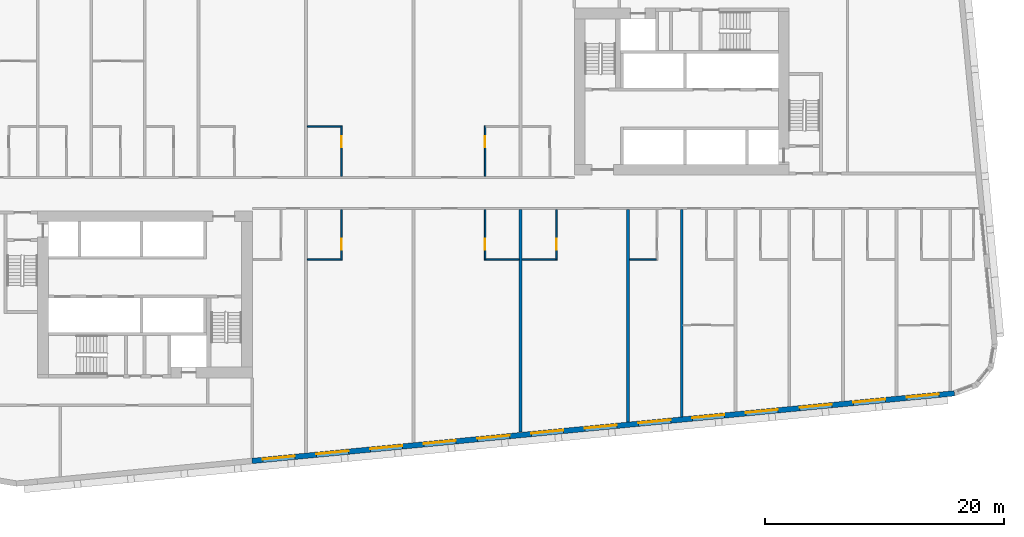
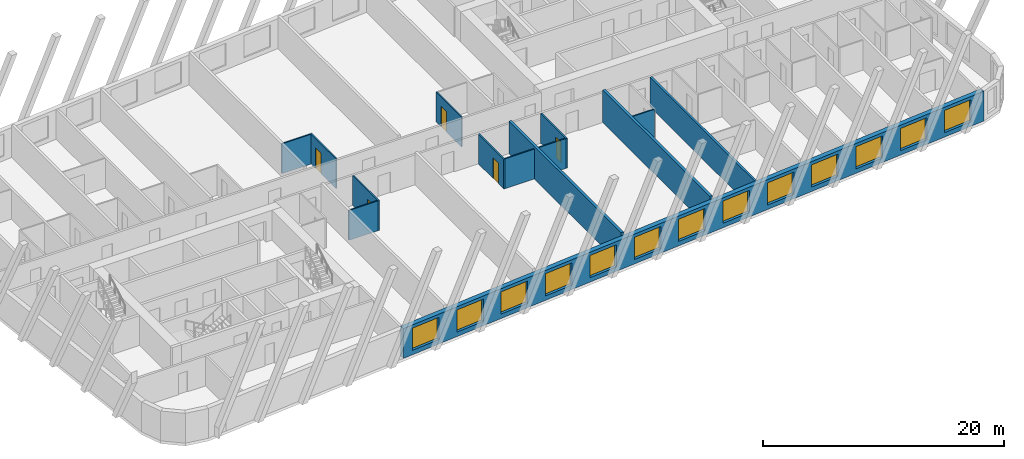
# One storey, part 4 of 13: 14 walls, 13 windows, 5 doors, 18 openings.
"""IFC4 building model written with IfcOpenShell, lengths in metres."""

from ifc_helpers import new_model, si_unit, direction, frame, frame_2d, origin, place, context, subcontext, project, spatial, rectangle, extrude, material, layer, layer_set, type_object, element, fill, save


model = new_model("IFC4")

# Units and contexts
model_context = context("Model", 3, precision=1e-05, world=origin(), true_north=direction((0.0, 1.0)))
body_context = subcontext(model_context, "Body", "Model", "MODEL_VIEW")
ifc_project = project(units=[si_unit("LENGTHUNIT", "METRE"), si_unit("AREAUNIT", "SQUARE_METRE"), si_unit("VOLUMEUNIT", "CUBIC_METRE"), si_unit("PLANEANGLEUNIT", "RADIAN"), si_unit("MASSUNIT", "GRAM", prefix="KILO")], contexts=[model_context])

# Site, building, storey
site_placement = place(None, origin())
site = spatial("IfcSite", under=ifc_project, at=site_placement, CompositionType="ELEMENT")
building_placement = place(site_placement, origin())
building = spatial("IfcBuilding", under=site, at=building_placement, Name="Kajstack Hotel Tower", CompositionType="ELEMENT")
storey_placement = place(building_placement, frame((0.0, 0.0, 120.699951171875)))
storey = spatial("IfcBuildingStorey", under=building, at=storey_placement, Name="L26", CompositionType="ELEMENT", Elevation=120.699951171875)

# Wall
ifc_material_1 = material(Name="Twin-frame gypsum board on steel studs, mineral wool", Category="steel")
ifc_layer_1 = layer(ifc_material_1, 0.199951171875)
ifc_layer_set_1 = layer_set([ifc_layer_1], Name="Demising wall 200")
wall_type_1 = type_object("IfcWallType", Name="Demising wall 200", PredefinedType="PARTITIONING", material=ifc_layer_set_1)
wall_1_placement = place(storey_placement, frame((22.5, -18.76611328125, 0.0), z_axis=(0.0, 0.0, 1.0), x_axis=(0.0, 1.0, 0.0)))
element("IfcWall", 1, at=wall_1_placement, inside=storey, type_object=wall_type_1, Name="G-wall-L26-035", PredefinedType="PARTITIONING", context=body_context, shape_type="SweptSolid", body=[
    extrude(rectangle(XDim=17.3662109375, YDim=0.199951171875, at=frame_2d((8.68310546875, 0.0))), origin(), (0.0, 0.0, 1.0), 3.02001953125),
])

# Wall, openings, windows
ifc_material_2 = material(Name="Terracotta-faced brick masonry", Category="masonry")
ifc_layer_2 = layer(ifc_material_2, 0.449951171875)
ifc_layer_set_2 = layer_set([ifc_layer_2], Name="EW-TERRA")
wall_type_2 = type_object("IfcWallType", Name="EW-TERRA", PredefinedType="SOLIDWALL", material=ifc_layer_set_2)
wall_2_placement = place(storey_placement, frame((-13.521484375, -22.46044921875, 0.0), z_axis=(0.0, 0.0, 1.0), x_axis=(0.995396096335, 0.095846812164, 0.0)))
wall_2 = element("IfcWall", 2, at=wall_2_placement, inside=storey, type_object=wall_type_2, Name="E-wall-L26-04-02", PredefinedType="SOLIDWALL", context=body_context, shape_type="SweptSolid", body=[
    extrude(rectangle(XDim=59.15087890625, YDim=0.449951171875, at=frame_2d((29.575439453125, 0.0))), origin(), (0.0, 0.0, 1.0), 3.02001953125),
])
opening_1_placement = place(wall_2_placement, frame((0.910400390625, 0.0, 0.449951171875)))
opening_1 = element("IfcOpeningElement", 3, at=opening_1_placement, cuts=wall_2, Name="Opening W1", PredefinedType="OPENING", context=body_context, shape_type="SweptSolid", body=[
    extrude(rectangle(XDim=2.699951171875, YDim=2.25, at=frame_2d((1.35009765625, 1.125))), frame((0.0, 0.23486328125, 0.0), z_axis=(0.0, -1.0, 0.0), x_axis=(1.0, 0.0, 0.0)), (0.0, 0.0, 1.0), 0.469970703125),
])
opening_2_placement = place(wall_2_placement, frame((5.43115234375, 0.0, 0.449951171875)))
opening_2 = element("IfcOpeningElement", 4, at=opening_2_placement, cuts=wall_2, Name="Opening W1", PredefinedType="OPENING", context=body_context, shape_type="SweptSolid", body=[
    extrude(rectangle(XDim=2.699951171875, YDim=2.25, at=frame_2d((1.35009765625, 1.125))), frame((0.0, 0.23486328125, 0.0), z_axis=(0.0, -1.0, 0.0), x_axis=(1.0, 0.0, 0.0)), (0.0, 0.0, 1.0), 0.469970703125),
])
opening_3_placement = place(wall_2_placement, frame((9.951904296875, 0.0, 0.449951171875)))
opening_3 = element("IfcOpeningElement", 5, at=opening_3_placement, cuts=wall_2, Name="Opening W1", PredefinedType="OPENING", context=body_context, shape_type="SweptSolid", body=[
    extrude(rectangle(XDim=2.699951171875, YDim=2.25, at=frame_2d((1.35009765625, 1.125))), frame((0.0, 0.23486328125, 0.0), z_axis=(0.0, -1.0, 0.0), x_axis=(1.0, 0.0, 0.0)), (0.0, 0.0, 1.0), 0.469970703125),
])
opening_4_placement = place(wall_2_placement, frame((14.472900390625, 0.0, 0.449951171875)))
opening_4 = element("IfcOpeningElement", 6, at=opening_4_placement, cuts=wall_2, Name="Opening W1", PredefinedType="OPENING", context=body_context, shape_type="SweptSolid", body=[
    extrude(rectangle(XDim=2.699951171875, YDim=2.25, at=frame_2d((1.35009765625, 1.125))), frame((0.0, 0.23486328125, 0.0), z_axis=(0.0, -1.0, 0.0), x_axis=(1.0, 0.0, 0.0)), (0.0, 0.0, 1.0), 0.469970703125),
])
opening_5_placement = place(wall_2_placement, frame((18.99365234375, 0.0, 0.449951171875)))
opening_5 = element("IfcOpeningElement", 7, at=opening_5_placement, cuts=wall_2, Name="Opening W1", PredefinedType="OPENING", context=body_context, shape_type="SweptSolid", body=[
    extrude(rectangle(XDim=2.699951171875, YDim=2.25, at=frame_2d((1.35009765625, 1.125))), frame((0.0, 0.23486328125, 0.0), z_axis=(0.0, -1.0, 0.0), x_axis=(1.0, 0.0, 0.0)), (0.0, 0.0, 1.0), 0.469970703125),
])
opening_6_placement = place(wall_2_placement, frame((23.514404296875, 0.0, 0.449951171875)))
opening_6 = element("IfcOpeningElement", 8, at=opening_6_placement, cuts=wall_2, Name="Opening W1", PredefinedType="OPENING", context=body_context, shape_type="SweptSolid", body=[
    extrude(rectangle(XDim=2.699951171875, YDim=2.25, at=frame_2d((1.35009765625, 1.125))), frame((0.0, 0.23486328125, 0.0), z_axis=(0.0, -1.0, 0.0), x_axis=(1.0, 0.0, 0.0)), (0.0, 0.0, 1.0), 0.469970703125),
])
opening_7_placement = place(wall_2_placement, frame((28.035400390625, 0.0, 0.449951171875)))
opening_7 = element("IfcOpeningElement", 9, at=opening_7_placement, cuts=wall_2, Name="Opening W1", PredefinedType="OPENING", context=body_context, shape_type="SweptSolid", body=[
    extrude(rectangle(XDim=2.699951171875, YDim=2.25, at=frame_2d((1.35009765625, 1.125))), frame((0.0, 0.23486328125, 0.0), z_axis=(0.0, -1.0, 0.0), x_axis=(1.0, 0.0, 0.0)), (0.0, 0.0, 1.0), 0.469970703125),
])
opening_8_placement = place(wall_2_placement, frame((32.55615234375, 0.0, 0.449951171875)))
opening_8 = element("IfcOpeningElement", 10, at=opening_8_placement, cuts=wall_2, Name="Opening W1", PredefinedType="OPENING", context=body_context, shape_type="SweptSolid", body=[
    extrude(rectangle(XDim=2.699951171875, YDim=2.25, at=frame_2d((1.35009765625, 1.125))), frame((0.0, 0.23486328125, 0.0), z_axis=(0.0, -1.0, 0.0), x_axis=(1.0, 0.0, 0.0)), (0.0, 0.0, 1.0), 0.469970703125),
])
opening_9_placement = place(wall_2_placement, frame((37.076904296875, 0.0, 0.449951171875)))
opening_9 = element("IfcOpeningElement", 11, at=opening_9_placement, cuts=wall_2, Name="Opening W1", PredefinedType="OPENING", context=body_context, shape_type="SweptSolid", body=[
    extrude(rectangle(XDim=2.699951171875, YDim=2.25, at=frame_2d((1.35009765625, 1.125))), frame((0.0, 0.23486328125, 0.0), z_axis=(0.0, -1.0, 0.0), x_axis=(1.0, 0.0, 0.0)), (0.0, 0.0, 1.0), 0.469970703125),
])
opening_10_placement = place(wall_2_placement, frame((41.59765625, 0.0, 0.449951171875)))
opening_10 = element("IfcOpeningElement", 12, at=opening_10_placement, cuts=wall_2, Name="Opening W1", PredefinedType="OPENING", context=body_context, shape_type="SweptSolid", body=[
    extrude(rectangle(XDim=2.699951171875, YDim=2.25, at=frame_2d((1.35009765625, 1.125))), frame((0.0, 0.23486328125, 0.0), z_axis=(0.0, -1.0, 0.0), x_axis=(1.0, 0.0, 0.0)), (0.0, 0.0, 1.0), 0.469970703125),
])
opening_11_placement = place(wall_2_placement, frame((46.118408203125, 0.0, 0.449951171875)))
opening_11 = element("IfcOpeningElement", 13, at=opening_11_placement, cuts=wall_2, Name="Opening W1", PredefinedType="OPENING", context=body_context, shape_type="SweptSolid", body=[
    extrude(rectangle(XDim=2.699951171875, YDim=2.25, at=frame_2d((1.35009765625, 1.125))), frame((0.0, 0.23486328125, 0.0), z_axis=(0.0, -1.0, 0.0), x_axis=(1.0, 0.0, 0.0)), (0.0, 0.0, 1.0), 0.469970703125),
])
opening_12_placement = place(wall_2_placement, frame((50.639404296875, 0.0, 0.449951171875)))
opening_12 = element("IfcOpeningElement", 14, at=opening_12_placement, cuts=wall_2, Name="Opening W1", PredefinedType="OPENING", context=body_context, shape_type="SweptSolid", body=[
    extrude(rectangle(XDim=2.699951171875, YDim=2.25, at=frame_2d((1.35009765625, 1.125))), frame((0.0, 0.23486328125, 0.0), z_axis=(0.0, -1.0, 0.0), x_axis=(1.0, 0.0, 0.0)), (0.0, 0.0, 1.0), 0.469970703125),
])
opening_13_placement = place(wall_2_placement, frame((55.149658203125, 0.0, 0.449951171875)))
opening_13 = element("IfcOpeningElement", 15, at=opening_13_placement, cuts=wall_2, Name="Opening W1", PredefinedType="OPENING", context=body_context, shape_type="SweptSolid", body=[
    extrude(rectangle(XDim=2.699951171875, YDim=2.25, at=frame_2d((1.35009765625, 1.125))), frame((0.0, 0.23486328125, 0.0), z_axis=(0.0, -1.0, 0.0), x_axis=(1.0, 0.0, 0.0)), (0.0, 0.0, 1.0), 0.469970703125),
])
ifc_material_3 = material(Name="Timber-aluminium window, triple glazed", Category="wood")
window_type = type_object("IfcWindowType", Name="WG1", PartitioningType="SINGLE_PANEL", PredefinedType="WINDOW", material=ifc_material_3)
window_1_placement = place(opening_1_placement, origin())
window_1 = element("IfcWindow", 16, at=window_1_placement, inside=storey, type_object=window_type, Name="Window W1 L26-04", OverallHeight=2.25, OverallWidth=2.699951171875, PartitioningType="SINGLE_PANEL", PredefinedType="WINDOW", context=body_context, shape_type="SweptSolid", body=[
    extrude(rectangle(XDim=2.699951171875, YDim=2.25, at=frame_2d((1.35009765625, 1.125))), frame((0.0, 0.090087890625, 0.0), z_axis=(0.0, -1.0, 0.0), x_axis=(1.0, 0.0, 0.0)), (0.0, 0.0, 1.0), 0.06005859375),
])
fill(opening_1, window_1)
window_2_placement = place(opening_2_placement, origin())
window_2 = element("IfcWindow", 17, at=window_2_placement, inside=storey, type_object=window_type, Name="Window W1 L26-04", OverallHeight=2.25, OverallWidth=2.699951171875, PartitioningType="SINGLE_PANEL", PredefinedType="WINDOW", context=body_context, shape_type="SweptSolid", body=[
    extrude(rectangle(XDim=2.699951171875, YDim=2.25, at=frame_2d((1.35009765625, 1.125))), frame((0.0, 0.090087890625, 0.0), z_axis=(0.0, -1.0, 0.0), x_axis=(1.0, 0.0, 0.0)), (0.0, 0.0, 1.0), 0.06005859375),
])
fill(opening_2, window_2)
window_3_placement = place(opening_3_placement, origin())
window_3 = element("IfcWindow", 18, at=window_3_placement, inside=storey, type_object=window_type, Name="Window W1 L26-04", OverallHeight=2.25, OverallWidth=2.699951171875, PartitioningType="SINGLE_PANEL", PredefinedType="WINDOW", context=body_context, shape_type="SweptSolid", body=[
    extrude(rectangle(XDim=2.699951171875, YDim=2.25, at=frame_2d((1.35009765625, 1.125))), frame((0.0, 0.090087890625, 0.0), z_axis=(0.0, -1.0, 0.0), x_axis=(1.0, 0.0, 0.0)), (0.0, 0.0, 1.0), 0.06005859375),
])
fill(opening_3, window_3)
window_4_placement = place(opening_4_placement, origin())
window_4 = element("IfcWindow", 19, at=window_4_placement, inside=storey, type_object=window_type, Name="Window W1 L26-04", OverallHeight=2.25, OverallWidth=2.699951171875, PartitioningType="SINGLE_PANEL", PredefinedType="WINDOW", context=body_context, shape_type="SweptSolid", body=[
    extrude(rectangle(XDim=2.699951171875, YDim=2.25, at=frame_2d((1.35009765625, 1.125))), frame((0.0, 0.090087890625, 0.0), z_axis=(0.0, -1.0, 0.0), x_axis=(1.0, 0.0, 0.0)), (0.0, 0.0, 1.0), 0.06005859375),
])
fill(opening_4, window_4)
window_5_placement = place(opening_5_placement, origin())
window_5 = element("IfcWindow", 20, at=window_5_placement, inside=storey, type_object=window_type, Name="Window W1 L26-04", OverallHeight=2.25, OverallWidth=2.699951171875, PartitioningType="SINGLE_PANEL", PredefinedType="WINDOW", context=body_context, shape_type="SweptSolid", body=[
    extrude(rectangle(XDim=2.699951171875, YDim=2.25, at=frame_2d((1.35009765625, 1.125))), frame((0.0, 0.090087890625, 0.0), z_axis=(0.0, -1.0, 0.0), x_axis=(1.0, 0.0, 0.0)), (0.0, 0.0, 1.0), 0.06005859375),
])
fill(opening_5, window_5)
window_6_placement = place(opening_6_placement, origin())
window_6 = element("IfcWindow", 21, at=window_6_placement, inside=storey, type_object=window_type, Name="Window W1 L26-04", OverallHeight=2.25, OverallWidth=2.699951171875, PartitioningType="SINGLE_PANEL", PredefinedType="WINDOW", context=body_context, shape_type="SweptSolid", body=[
    extrude(rectangle(XDim=2.699951171875, YDim=2.25, at=frame_2d((1.35009765625, 1.125))), frame((0.0, 0.090087890625, 0.0), z_axis=(0.0, -1.0, 0.0), x_axis=(1.0, 0.0, 0.0)), (0.0, 0.0, 1.0), 0.06005859375),
])
fill(opening_6, window_6)
window_7_placement = place(opening_7_placement, origin())
window_7 = element("IfcWindow", 22, at=window_7_placement, inside=storey, type_object=window_type, Name="Window W1 L26-04", OverallHeight=2.25, OverallWidth=2.699951171875, PartitioningType="SINGLE_PANEL", PredefinedType="WINDOW", context=body_context, shape_type="SweptSolid", body=[
    extrude(rectangle(XDim=2.699951171875, YDim=2.25, at=frame_2d((1.35009765625, 1.125))), frame((0.0, 0.090087890625, 0.0), z_axis=(0.0, -1.0, 0.0), x_axis=(1.0, 0.0, 0.0)), (0.0, 0.0, 1.0), 0.06005859375),
])
fill(opening_7, window_7)
window_8_placement = place(opening_8_placement, origin())
window_8 = element("IfcWindow", 23, at=window_8_placement, inside=storey, type_object=window_type, Name="Window W1 L26-04", OverallHeight=2.25, OverallWidth=2.699951171875, PartitioningType="SINGLE_PANEL", PredefinedType="WINDOW", context=body_context, shape_type="SweptSolid", body=[
    extrude(rectangle(XDim=2.699951171875, YDim=2.25, at=frame_2d((1.35009765625, 1.125))), frame((0.0, 0.090087890625, 0.0), z_axis=(0.0, -1.0, 0.0), x_axis=(1.0, 0.0, 0.0)), (0.0, 0.0, 1.0), 0.06005859375),
])
fill(opening_8, window_8)
window_9_placement = place(opening_9_placement, origin())
window_9 = element("IfcWindow", 24, at=window_9_placement, inside=storey, type_object=window_type, Name="Window W1 L26-04", OverallHeight=2.25, OverallWidth=2.699951171875, PartitioningType="SINGLE_PANEL", PredefinedType="WINDOW", context=body_context, shape_type="SweptSolid", body=[
    extrude(rectangle(XDim=2.699951171875, YDim=2.25, at=frame_2d((1.35009765625, 1.125))), frame((0.0, 0.090087890625, 0.0), z_axis=(0.0, -1.0, 0.0), x_axis=(1.0, 0.0, 0.0)), (0.0, 0.0, 1.0), 0.06005859375),
])
fill(opening_9, window_9)
window_10_placement = place(opening_10_placement, origin())
window_10 = element("IfcWindow", 25, at=window_10_placement, inside=storey, type_object=window_type, Name="Window W1 L26-04", OverallHeight=2.25, OverallWidth=2.699951171875, PartitioningType="SINGLE_PANEL", PredefinedType="WINDOW", context=body_context, shape_type="SweptSolid", body=[
    extrude(rectangle(XDim=2.699951171875, YDim=2.25, at=frame_2d((1.35009765625, 1.125))), frame((0.0, 0.090087890625, 0.0), z_axis=(0.0, -1.0, 0.0), x_axis=(1.0, 0.0, 0.0)), (0.0, 0.0, 1.0), 0.06005859375),
])
fill(opening_10, window_10)
window_11_placement = place(opening_11_placement, origin())
window_11 = element("IfcWindow", 26, at=window_11_placement, inside=storey, type_object=window_type, Name="Window W1 L26-04", OverallHeight=2.25, OverallWidth=2.699951171875, PartitioningType="SINGLE_PANEL", PredefinedType="WINDOW", context=body_context, shape_type="SweptSolid", body=[
    extrude(rectangle(XDim=2.699951171875, YDim=2.25, at=frame_2d((1.35009765625, 1.125))), frame((0.0, 0.090087890625, 0.0), z_axis=(0.0, -1.0, 0.0), x_axis=(1.0, 0.0, 0.0)), (0.0, 0.0, 1.0), 0.06005859375),
])
fill(opening_11, window_11)
window_12_placement = place(opening_12_placement, origin())
window_12 = element("IfcWindow", 27, at=window_12_placement, inside=storey, type_object=window_type, Name="Window W1 L26-04", OverallHeight=2.25, OverallWidth=2.699951171875, PartitioningType="SINGLE_PANEL", PredefinedType="WINDOW", context=body_context, shape_type="SweptSolid", body=[
    extrude(rectangle(XDim=2.699951171875, YDim=2.25, at=frame_2d((1.35009765625, 1.125))), frame((0.0, 0.090087890625, 0.0), z_axis=(0.0, -1.0, 0.0), x_axis=(1.0, 0.0, 0.0)), (0.0, 0.0, 1.0), 0.06005859375),
])
fill(opening_12, window_12)
window_13_placement = place(opening_13_placement, origin())
window_13 = element("IfcWindow", 28, at=window_13_placement, inside=storey, type_object=window_type, Name="Window W1 L26-04", OverallHeight=2.25, OverallWidth=2.699951171875, PartitioningType="SINGLE_PANEL", PredefinedType="WINDOW", context=body_context, shape_type="SweptSolid", body=[
    extrude(rectangle(XDim=2.699951171875, YDim=2.25, at=frame_2d((1.35009765625, 1.125))), frame((0.0, 0.090087890625, 0.0), z_axis=(0.0, -1.0, 0.0), x_axis=(1.0, 0.0, 0.0)), (0.0, 0.0, 1.0), 0.06005859375),
])
fill(opening_13, window_13)

# Wall, opening, door
ifc_material_4 = material(Name="Gypsum board and tiled backer on steel studs", Category="steel")
ifc_layer_3 = layer(ifc_material_4, 0.125)
ifc_layer_set_3 = layer_set([ifc_layer_3], Name="En-suite wall 125")
wall_type_3 = type_object("IfcWallType", Name="En-suite wall 125", PredefinedType="PARTITIONING", material=ifc_layer_set_3)
wall_3_placement = place(storey_placement, frame((-6.012939453125, 1.39990234375, 0.0), z_axis=(0.0, 0.0, 1.0), x_axis=(0.0, 1.0, 0.0)))
wall_3 = element("IfcWall", 29, at=wall_3_placement, inside=storey, type_object=wall_type_3, Name="G-wall-L26-020", PredefinedType="PARTITIONING", context=body_context, shape_type="SweptSolid", body=[
    extrude(rectangle(XDim=4.22509765625, YDim=0.125, at=frame_2d((2.112548828125, 0.0))), origin(), (0.0, 0.0, 1.0), 3.02001953125),
])
opening_14_placement = place(wall_3_placement, frame((2.449951171875, 0.0, 0.0)))
opening_14 = element("IfcOpeningElement", 30, at=opening_14_placement, cuts=wall_3, Name="Opening 26016", PredefinedType="OPENING", context=body_context, shape_type="SweptSolid", body=[
    extrude(rectangle(XDim=0.89990234375, YDim=2.10009765625, at=frame_2d((0.449951171875, 1.050048828125))), frame((0.0, 0.072509765625, 0.0), z_axis=(0.0, -1.0, 0.0), x_axis=(1.0, 0.0, 0.0)), (0.0, 0.0, 1.0), 0.14501953125),
])
ifc_material_5 = material(Name="Painted timber door leaf", Category="wood")
door_type = type_object("IfcDoorType", Name="Room door 900", OperationType="SINGLE_SWING_LEFT", PredefinedType="DOOR", material=ifc_material_5)
door_1_placement = place(opening_14_placement, origin())
door_1 = element("IfcDoor", 31, at=door_1_placement, inside=storey, type_object=door_type, Name="G-door-L26-16", OperationType="SINGLE_SWING_RIGHT", OverallHeight=2.10009765625, OverallWidth=0.89990234375, PredefinedType="DOOR", context=body_context, shape_type="SweptSolid", body=[
    extrude(rectangle(XDim=0.89990234375, YDim=2.10009765625, at=frame_2d((0.449951171875, 1.050048828125))), frame((0.0, 0.02490234375, 0.0), z_axis=(0.0, -1.0, 0.0), x_axis=(1.0, 0.0, 0.0)), (0.0, 0.0, 1.0), 0.050048828125),
])
fill(opening_14, door_1)

# Wall
wall_4_placement = place(storey_placement, frame((-8.875, 5.56201171875, 0.0), z_axis=(0.0, 0.0, 1.0), x_axis=(1.0, 0.0, 0.0)))
element("IfcWall", 32, at=wall_4_placement, inside=storey, type_object=wall_type_3, Name="G-wall-L26-021", PredefinedType="PARTITIONING", context=body_context, shape_type="SweptSolid", body=[
    extrude(rectangle(XDim=2.800048828125, YDim=0.125, at=frame_2d((1.39990234375, 0.0))), origin(), (0.0, 0.0, 1.0), 3.02001953125),
])

# Wall, opening, door
wall_5_placement = place(storey_placement, frame((6.012939453125, 1.39990234375, 0.0), z_axis=(0.0, 0.0, 1.0), x_axis=(0.0, 1.0, 0.0)))
wall_5 = element("IfcWall", 33, at=wall_5_placement, inside=storey, type_object=wall_type_3, Name="G-wall-L26-022", PredefinedType="PARTITIONING", context=body_context, shape_type="SweptSolid", body=[
    extrude(rectangle(XDim=4.22509765625, YDim=0.125, at=frame_2d((2.112548828125, 0.0))), origin(), (0.0, 0.0, 1.0), 3.02001953125),
])
opening_15_placement = place(wall_5_placement, frame((2.449951171875, 0.0, 0.0)))
opening_15 = element("IfcOpeningElement", 34, at=opening_15_placement, cuts=wall_5, Name="Opening 26018", PredefinedType="OPENING", context=body_context, shape_type="SweptSolid", body=[
    extrude(rectangle(XDim=0.89990234375, YDim=2.10009765625, at=frame_2d((0.449951171875, 1.050048828125))), frame((0.0, 0.072509765625, 0.0), z_axis=(0.0, -1.0, 0.0), x_axis=(1.0, 0.0, 0.0)), (0.0, 0.0, 1.0), 0.14501953125),
])
door_2_placement = place(opening_15_placement, origin())
door_2 = element("IfcDoor", 35, at=door_2_placement, inside=storey, type_object=door_type, Name="G-door-L26-18", OperationType="SINGLE_SWING_LEFT", OverallHeight=2.10009765625, OverallWidth=0.89990234375, PredefinedType="DOOR", context=body_context, shape_type="SweptSolid", body=[
    extrude(rectangle(XDim=0.89990234375, YDim=2.10009765625, at=frame_2d((0.449951171875, 1.050048828125))), frame((0.0, 0.02490234375, 0.0), z_axis=(0.0, -1.0, 0.0), x_axis=(1.0, 0.0, 0.0)), (0.0, 0.0, 1.0), 0.050048828125),
])
fill(opening_15, door_2)

wall_6_placement = place(storey_placement, frame((-6.012939453125, -5.625, 0.0), z_axis=(0.0, 0.0, 1.0), x_axis=(0.0, 1.0, 0.0)))
wall_6 = element("IfcWall", 36, at=wall_6_placement, inside=storey, type_object=wall_type_3, Name="G-wall-L26-029", PredefinedType="PARTITIONING", context=body_context, shape_type="SweptSolid", body=[
    extrude(rectangle(XDim=4.22509765625, YDim=0.125, at=frame_2d((2.112548828125, 0.0))), origin(), (0.0, 0.0, 1.0), 3.02001953125),
])
opening_16_placement = place(wall_6_placement, frame((0.875, 0.0, 0.0)))
opening_16 = element("IfcOpeningElement", 37, at=opening_16_placement, cuts=wall_6, Name="Opening 26024", PredefinedType="OPENING", context=body_context, shape_type="SweptSolid", body=[
    extrude(rectangle(XDim=0.89990234375, YDim=2.10009765625, at=frame_2d((0.449951171875, 1.050048828125))), frame((0.0, 0.072509765625, 0.0), z_axis=(0.0, -1.0, 0.0), x_axis=(1.0, 0.0, 0.0)), (0.0, 0.0, 1.0), 0.14501953125),
])
door_3_placement = place(opening_16_placement, origin())
door_3 = element("IfcDoor", 38, at=door_3_placement, inside=storey, type_object=door_type, Name="G-door-L26-24", OperationType="SINGLE_SWING_LEFT", OverallHeight=2.10009765625, OverallWidth=0.89990234375, PredefinedType="DOOR", context=body_context, shape_type="SweptSolid", body=[
    extrude(rectangle(XDim=0.89990234375, YDim=2.10009765625, at=frame_2d((0.449951171875, 1.050048828125))), frame((0.0, 0.02490234375, 0.0), z_axis=(0.0, -1.0, 0.0), x_axis=(1.0, 0.0, 0.0)), (0.0, 0.0, 1.0), 0.050048828125),
])
fill(opening_16, door_3)

# Wall
wall_7_placement = place(storey_placement, frame((-8.875, -5.56201171875, 0.0), z_axis=(0.0, 0.0, 1.0), x_axis=(1.0, 0.0, 0.0)))
element("IfcWall", 39, at=wall_7_placement, inside=storey, type_object=wall_type_3, Name="G-wall-L26-030", PredefinedType="PARTITIONING", context=body_context, shape_type="SweptSolid", body=[
    extrude(rectangle(XDim=2.800048828125, YDim=0.125, at=frame_2d((1.39990234375, 0.0))), origin(), (0.0, 0.0, 1.0), 3.02001953125),
])

# Wall, opening, door
wall_8_placement = place(storey_placement, frame((6.012939453125, -5.625, 0.0), z_axis=(0.0, 0.0, 1.0), x_axis=(0.0, 1.0, 0.0)))
wall_8 = element("IfcWall", 40, at=wall_8_placement, inside=storey, type_object=wall_type_3, Name="G-wall-L26-031", PredefinedType="PARTITIONING", context=body_context, shape_type="SweptSolid", body=[
    extrude(rectangle(XDim=4.22509765625, YDim=0.125, at=frame_2d((2.112548828125, 0.0))), origin(), (0.0, 0.0, 1.0), 3.02001953125),
])
opening_17_placement = place(wall_8_placement, frame((0.875, 0.0, 0.0)))
opening_17 = element("IfcOpeningElement", 41, at=opening_17_placement, cuts=wall_8, Name="Opening 26026", PredefinedType="OPENING", context=body_context, shape_type="SweptSolid", body=[
    extrude(rectangle(XDim=0.89990234375, YDim=2.10009765625, at=frame_2d((0.449951171875, 1.050048828125))), frame((0.0, 0.072509765625, 0.0), z_axis=(0.0, -1.0, 0.0), x_axis=(1.0, 0.0, 0.0)), (0.0, 0.0, 1.0), 0.14501953125),
])
door_4_placement = place(opening_17_placement, origin())
door_4 = element("IfcDoor", 42, at=door_4_placement, inside=storey, type_object=door_type, Name="G-door-L26-26", OperationType="SINGLE_SWING_RIGHT", OverallHeight=2.10009765625, OverallWidth=0.89990234375, PredefinedType="DOOR", context=body_context, shape_type="SweptSolid", body=[
    extrude(rectangle(XDim=0.89990234375, YDim=2.10009765625, at=frame_2d((0.449951171875, 1.050048828125))), frame((0.0, 0.02490234375, 0.0), z_axis=(0.0, -1.0, 0.0), x_axis=(1.0, 0.0, 0.0)), (0.0, 0.0, 1.0), 0.050048828125),
])
fill(opening_17, door_4)

# Wall
wall_9_placement = place(storey_placement, frame((6.074951171875, -5.56201171875, 0.0), z_axis=(0.0, 0.0, 1.0), x_axis=(1.0, 0.0, 0.0)))
element("IfcWall", 43, at=wall_9_placement, inside=storey, type_object=wall_type_3, Name="G-wall-L26-032", PredefinedType="PARTITIONING", context=body_context, shape_type="SweptSolid", body=[
    extrude(rectangle(XDim=2.800048828125, YDim=0.125, at=frame_2d((1.39990234375, 0.0))), origin(), (0.0, 0.0, 1.0), 3.02001953125),
])

# Wall, opening, door
wall_10_placement = place(storey_placement, frame((11.988037109375, -5.625, 0.0), z_axis=(0.0, 0.0, 1.0), x_axis=(0.0, 1.0, 0.0)))
wall_10 = element("IfcWall", 44, at=wall_10_placement, inside=storey, type_object=wall_type_3, Name="G-wall-L26-033", PredefinedType="PARTITIONING", context=body_context, shape_type="SweptSolid", body=[
    extrude(rectangle(XDim=4.22509765625, YDim=0.125, at=frame_2d((2.112548828125, 0.0))), origin(), (0.0, 0.0, 1.0), 3.02001953125),
])
opening_18_placement = place(wall_10_placement, frame((0.875, 0.0, 0.0)))
opening_18 = element("IfcOpeningElement", 45, at=opening_18_placement, cuts=wall_10, Name="Opening 26028", PredefinedType="OPENING", context=body_context, shape_type="SweptSolid", body=[
    extrude(rectangle(XDim=0.89990234375, YDim=2.10009765625, at=frame_2d((0.449951171875, 1.050048828125))), frame((0.0, 0.072509765625, 0.0), z_axis=(0.0, -1.0, 0.0), x_axis=(1.0, 0.0, 0.0)), (0.0, 0.0, 1.0), 0.14501953125),
])
door_5_placement = place(opening_18_placement, origin())
door_5 = element("IfcDoor", 46, at=door_5_placement, inside=storey, type_object=door_type, Name="G-door-L26-28", OperationType="SINGLE_SWING_LEFT", OverallHeight=2.10009765625, OverallWidth=0.89990234375, PredefinedType="DOOR", context=body_context, shape_type="SweptSolid", body=[
    extrude(rectangle(XDim=0.89990234375, YDim=2.10009765625, at=frame_2d((0.449951171875, 1.050048828125))), frame((0.0, 0.02490234375, 0.0), z_axis=(0.0, -1.0, 0.0), x_axis=(1.0, 0.0, 0.0)), (0.0, 0.0, 1.0), 0.050048828125),
])
fill(opening_18, door_5)

# Walls
wall_11_placement = place(storey_placement, frame((9.125, -5.56201171875, 0.0), z_axis=(0.0, 0.0, 1.0), x_axis=(1.0, 0.0, 0.0)))
element("IfcWall", 47, at=wall_11_placement, inside=storey, type_object=wall_type_3, Name="G-wall-L26-034", PredefinedType="PARTITIONING", context=body_context, shape_type="SweptSolid", body=[
    extrude(rectangle(XDim=2.800048828125, YDim=0.125, at=frame_2d((1.39990234375, 0.0))), origin(), (0.0, 0.0, 1.0), 3.02001953125),
])
wall_12_placement = place(storey_placement, frame((18.125, -5.56201171875, 0.0), z_axis=(0.0, 0.0, 1.0), x_axis=(1.0, 0.0, 0.0)))
element("IfcWall", 48, at=wall_12_placement, inside=storey, type_object=wall_type_3, Name="G-wall-L26-037", PredefinedType="PARTITIONING", context=body_context, shape_type="SweptSolid", body=[
    extrude(rectangle(XDim=2.25, YDim=0.125, at=frame_2d((1.125, 0.0))), origin(), (0.0, 0.0, 1.0), 3.02001953125),
])
ifc_material_6 = material(Name="Concrete C55/67", Category="concrete")
ifc_layer_4 = layer(ifc_material_6, 0.25)
ifc_layer_set_4 = layer_set([ifc_layer_4], Name="RC cross wall 250 C55/67")
wall_type_4 = type_object("IfcWallType", Name="RC cross wall 250 C55/67", PredefinedType="SHEAR", material=ifc_layer_set_4)
wall_13_placement = place(storey_placement, frame((9.0, -20.043701171875, 0.0), z_axis=(0.0, 0.0, 1.0), x_axis=(0.0, 1.0, 0.0)))
element("IfcWall", 49, at=wall_13_placement, inside=storey, type_object=wall_type_4, Name="S-wall-L26-08", PredefinedType="SHEAR", context=body_context, shape_type="SweptSolid", body=[
    extrude(rectangle(XDim=18.643798828125, YDim=0.25, at=frame_2d((9.32177734375, 0.0))), origin(), (0.0, 0.0, 1.0), 3.300048828125),
])
wall_14_placement = place(storey_placement, frame((18.0, -19.17724609375, 0.0), z_axis=(0.0, 0.0, 1.0), x_axis=(0.0, 1.0, 0.0)))
element("IfcWall", 50, at=wall_14_placement, inside=storey, type_object=wall_type_4, Name="S-wall-L26-10", PredefinedType="SHEAR", context=body_context, shape_type="SweptSolid", body=[
    extrude(rectangle(XDim=17.77734375, YDim=0.25, at=frame_2d((8.888671875, 0.0))), origin(), (0.0, 0.0, 1.0), 3.300048828125),
])

save(model, "model.ifc")
